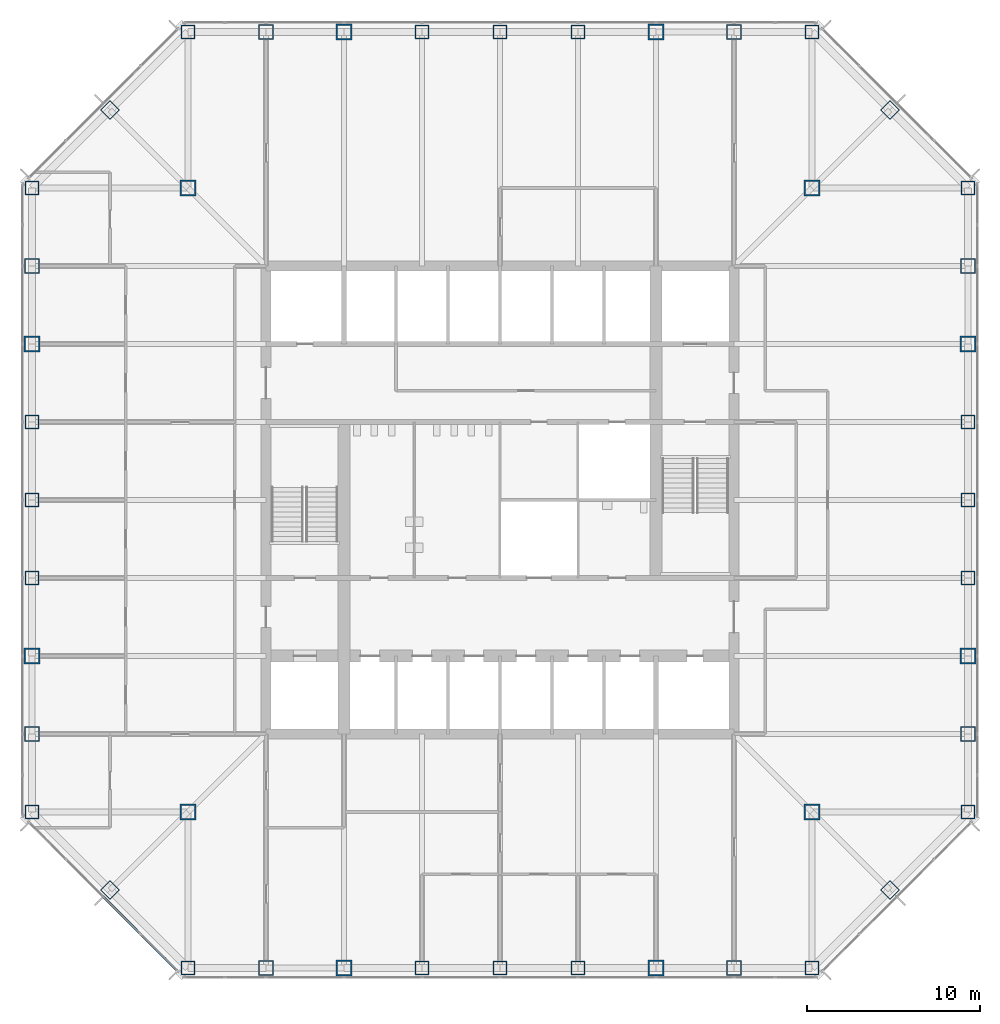
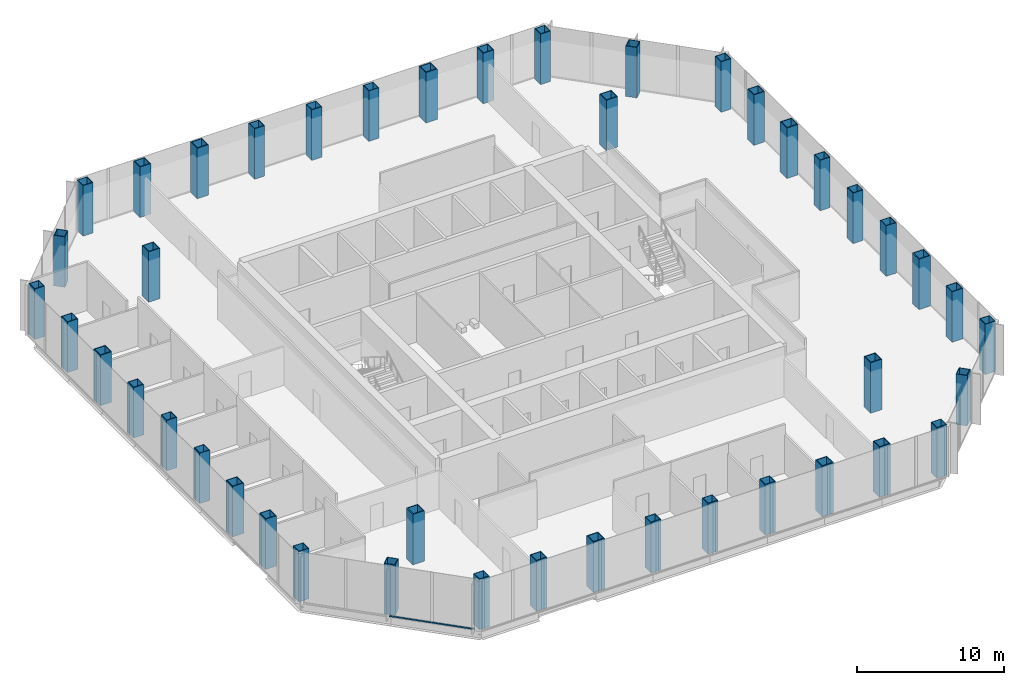
# One storey, part 1 of 12: 44 columns, 2 members, 1 element without a shape of its own.
"""IFC4 building model written with IfcOpenShell, lengths in metres."""

from ifc_helpers import new_model, si_unit, direction, frame, origin, origin_2d, place, context, subcontext, project, spatial, rectangle, hollow_rectangle, extrude, material, material_profile, profile_set, type_object, element, aggregate, save


model = new_model("IFC4")

# Units and contexts
model_context = context("Model", 3, precision=1e-05, world=origin(), true_north=direction((0.0, 1.0)))
body_context = subcontext(model_context, "Body", "Model", "MODEL_VIEW")
ifc_project = project(units=[si_unit("LENGTHUNIT", "METRE"), si_unit("AREAUNIT", "SQUARE_METRE"), si_unit("VOLUMEUNIT", "CUBIC_METRE"), si_unit("PLANEANGLEUNIT", "RADIAN"), si_unit("MASSUNIT", "GRAM", prefix="KILO")], contexts=[model_context])

# Site, building, storey
site_placement = place(None, origin())
site = spatial("IfcSite", under=ifc_project, at=site_placement, CompositionType="ELEMENT")
building_placement = place(site_placement, origin())
building = spatial("IfcBuilding", under=site, at=building_placement, Name="Corais Broadcast Tower", CompositionType="ELEMENT")
storey_placement = place(building_placement, frame((0.0, 0.0, 92.0)))
storey = spatial("IfcBuildingStorey", under=building, at=storey_placement, Name="L20", CompositionType="ELEMENT", Elevation=92.0)

# Columns
ifc_material_1 = material(Name="Steel ASTM A572 Grade 50", Category="steel")
ifc_material_profile_1 = material_profile(ifc_material_1, hollow_rectangle(XDim=0.800048828125, YDim=0.800048828125, WallThickness=0.044921875, at=origin_2d()), Name="BOX 800x800x45")
ifc_profile_set_1 = profile_set([ifc_material_profile_1], Name="Steel ASTM A572 Grade 50")
column_type_1 = type_object("IfcColumnType", Name="Column BOX 800x800x45", PredefinedType="COLUMN", material=ifc_profile_set_1)
for number, where, z_axis, x_axis, name in (
    (1, (9.0, 0.0, 0.0), (0.0, 0.0, 1.0), (1.0, 0.0, 0.0), "C3 A/5"),
    (2, (22.5, 0.0, 0.0), (0.0, 0.0, 1.0), (1.0, 0.0, 0.0), "C3 A/8"),
    (3, (27.0, 0.0, 0.0), (0.0, 0.0, 1.0), (1.0, 0.0, 0.0), "C3 A/9"),
    (4, (31.5, 0.0, 0.0), (0.0, 0.0, 1.0), (1.0, 0.0, 0.0), "C3 A/10"),
    (5, (45.0, 0.0, 0.0), (0.0, 0.0, 1.0), (1.0, 0.0, 0.0), "C3 A/13"),
    (6, (54.0, 9.0, 0.0), (0.0, 0.0, 1.0), (1.0, 0.0, 0.0), "C3 C/15"),
    (7, (54.0, 22.5, 0.0), (0.0, 0.0, 1.0), (1.0, 0.0, 0.0), "C3 F/15"),
    (8, (54.0, 27.0, 0.0), (0.0, 0.0, 1.0), (1.0, 0.0, 0.0), "C3 G/15"),
    (9, (54.0, 31.5, 0.0), (0.0, 0.0, 1.0), (1.0, 0.0, 0.0), "C3 H/15"),
    (10, (54.0, 45.0, 0.0), (0.0, 0.0, 1.0), (1.0, 0.0, 0.0), "C3 L/15"),
    (11, (45.0, 54.0, 0.0), (0.0, 0.0, 1.0), (1.0, 0.0, 0.0), "C3 N/13"),
    (12, (31.5, 54.0, 0.0), (0.0, 0.0, 1.0), (1.0, 0.0, 0.0), "C3 N/10"),
    (13, (27.0, 54.0, 0.0), (0.0, 0.0, 1.0), (1.0, 0.0, 0.0), "C3 N/9"),
    (14, (22.5, 54.0, 0.0), (0.0, 0.0, 1.0), (1.0, 0.0, 0.0), "C3 N/8"),
    (15, (9.0, 54.0, 0.0), (0.0, 0.0, 1.0), (1.0, 0.0, 0.0), "C3 N/5"),
    (16, (0.0, 45.0, 0.0), (0.0, 0.0, 1.0), (1.0, 0.0, 0.0), "C3 L/3"),
    (17, (0.0, 31.5, 0.0), (0.0, 0.0, 1.0), (1.0, 0.0, 0.0), "C3 H/3"),
    (18, (0.0, 27.0, 0.0), (0.0, 0.0, 1.0), (1.0, 0.0, 0.0), "C3 G/3"),
    (19, (0.0, 22.5, 0.0), (0.0, 0.0, 1.0), (1.0, 0.0, 0.0), "C3 F/3"),
    (20, (0.0, 9.0, 0.0), (0.0, 0.0, 1.0), (1.0, 0.0, 0.0), "C3 C/3"),
    (21, (4.5, 4.5, 0.0), (0.0, 0.0, 1.0), (0.707106781187, 0.707106781187, 0.0), "C3 B/4"),
    (22, (49.5, 4.5, 0.0), (0.0, 0.0, 1.0), (0.707106781187, 0.707106781187, 0.0), "C3 B/14"),
    (23, (49.5, 49.5, 0.0), (0.0, 0.0, 1.0), (0.707106781187, 0.707106781187, 0.0), "C3 M/14"),
    (24, (4.5, 49.5, 0.0), (0.0, 0.0, 1.0), (0.707106781187, 0.707106781187, 0.0), "C3 M/4"),
):
    element("IfcColumn", number, at=place(storey_placement, frame(where, z_axis=z_axis, x_axis=x_axis)), inside=storey, type_object=column_type_1, Name=name, PredefinedType="COLUMN", context=body_context, shape_type="SweptSolid", body=[
        extrude(hollow_rectangle(XDim=0.800048828125, YDim=0.800048828125, WallThickness=0.044921875, at=origin_2d()), origin(), (0.0, 0.0, 1.0), 4.199951171875),
    ])
ifc_material_2 = material(Name="Steel ASTM A572 Grade 50", Category="steel")
ifc_material_profile_2 = material_profile(ifc_material_2, hollow_rectangle(XDim=0.85009765625, YDim=0.85009765625, WallThickness=0.050048828125, at=origin_2d()), Name="BOX 850x850x50")
ifc_profile_set_2 = profile_set([ifc_material_profile_2], Name="Steel ASTM A572 Grade 50")
column_type_2 = type_object("IfcColumnType", Name="Column BOX 850x850x50", PredefinedType="COLUMN", material=ifc_profile_set_2)
for number, where, z_axis, x_axis, name in (
    (25, (13.5, 0.0, 0.0), (0.0, 0.0, 1.0), (1.0, 0.0, 0.0), "C1 A/6"),
    (26, (40.5, 0.0, 0.0), (0.0, 0.0, 1.0), (1.0, 0.0, 0.0), "C1 A/12"),
    (27, (54.0, 13.5, 0.0), (0.0, 0.0, 1.0), (1.0, 0.0, 0.0), "C1 D/15"),
    (28, (54.0, 40.5, 0.0), (0.0, 0.0, 1.0), (1.0, 0.0, 0.0), "C1 K/15"),
    (29, (40.5, 54.0, 0.0), (0.0, 0.0, 1.0), (1.0, 0.0, 0.0), "C1 N/12"),
    (30, (13.5, 54.0, 0.0), (0.0, 0.0, 1.0), (1.0, 0.0, 0.0), "C1 N/6"),
    (31, (0.0, 40.5, 0.0), (0.0, 0.0, 1.0), (1.0, 0.0, 0.0), "C1 K/3"),
    (32, (0.0, 13.5, 0.0), (0.0, 0.0, 1.0), (1.0, 0.0, 0.0), "C1 D/3"),
):
    element("IfcColumn", number, at=place(storey_placement, frame(where, z_axis=z_axis, x_axis=x_axis)), inside=storey, type_object=column_type_2, Name=name, PredefinedType="COLUMN", context=body_context, shape_type="SweptSolid", body=[
        extrude(hollow_rectangle(XDim=0.85009765625, YDim=0.85009765625, WallThickness=0.050048828125, at=origin_2d()), origin(), (0.0, 0.0, 1.0), 4.199951171875),
    ])
ifc_material_3 = material(Name="Steel ASTM A572 Grade 50", Category="steel")
ifc_material_profile_3 = material_profile(ifc_material_3, hollow_rectangle(XDim=0.89990234375, YDim=0.89990234375, WallThickness=0.06298828125, at=origin_2d()), Name="BOX 900x900x63")
ifc_profile_set_3 = profile_set([ifc_material_profile_3], Name="Steel ASTM A572 Grade 50")
column_type_3 = type_object("IfcColumnType", Name="Column BOX 900x900x63", PredefinedType="COLUMN", material=ifc_profile_set_3)
for number, where, z_axis, x_axis, name in (
    (33, (18.0, 0.0, 0.0), (0.0, 0.0, 1.0), (1.0, 0.0, 0.0), "C2 A/7"),
    (34, (36.0, 0.0, 0.0), (0.0, 0.0, 1.0), (1.0, 0.0, 0.0), "C2 A/11"),
    (35, (54.0, 18.0, 0.0), (0.0, 0.0, 1.0), (1.0, 0.0, 0.0), "C2 E/15"),
    (36, (54.0, 36.0, 0.0), (0.0, 0.0, 1.0), (1.0, 0.0, 0.0), "C2 J/15"),
    (37, (36.0, 54.0, 0.0), (0.0, 0.0, 1.0), (1.0, 0.0, 0.0), "C2 N/11"),
    (38, (18.0, 54.0, 0.0), (0.0, 0.0, 1.0), (1.0, 0.0, 0.0), "C2 N/7"),
    (39, (0.0, 36.0, 0.0), (0.0, 0.0, 1.0), (1.0, 0.0, 0.0), "C2 J/3"),
    (40, (0.0, 18.0, 0.0), (0.0, 0.0, 1.0), (1.0, 0.0, 0.0), "C2 E/3"),
    (41, (9.0, 9.0, 0.0), (0.0, 0.0, 1.0), (1.0, 0.0, 0.0), "C2 C/5"),
    (42, (45.0, 9.0, 0.0), (0.0, 0.0, 1.0), (1.0, 0.0, 0.0), "C2 C/13"),
    (43, (45.0, 45.0, 0.0), (0.0, 0.0, 1.0), (1.0, 0.0, 0.0), "C2 L/13"),
    (44, (9.0, 45.0, 0.0), (0.0, 0.0, 1.0), (1.0, 0.0, 0.0), "C2 L/5"),
):
    element("IfcColumn", number, at=place(storey_placement, frame(where, z_axis=z_axis, x_axis=x_axis)), inside=storey, type_object=column_type_3, Name=name, PredefinedType="COLUMN", context=body_context, shape_type="SweptSolid", body=[
        extrude(hollow_rectangle(XDim=0.89990234375, YDim=0.89990234375, WallThickness=0.06298828125, at=origin_2d()), origin(), (0.0, 0.0, 1.0), 4.199951171875),
    ])

# Curtain wall, members
ifc_material_4 = material(Name="Aluminium and glass", Category="aluminium")
curtain_wall_type = type_object("IfcCurtainWallType", Name="Unitised fritted curtain wall CW1", PredefinedType="NOTDEFINED", material=ifc_material_4)
curtain_wall_placement = place(storey_placement, origin())
curtain_wall = element("IfcCurtainWall", 45, at=curtain_wall_placement, inside=storey, type_object=curtain_wall_type, Name="CW1 curtain wall L20 1", PredefinedType="NOTDEFINED")
ifc_material_5 = material(Name="Aluminium 6063-T6", Category="aluminium")
ifc_material_profile_4 = material_profile(ifc_material_5, rectangle(XDim=0.139892578125, YDim=0.06494140625, at=origin_2d()), Name="Transom CW1 65x140")
ifc_profile_set_4 = profile_set([ifc_material_profile_4], Name="Aluminium 6063-T6")
member_type = type_object("IfcMemberType", Name="Transom CW1 65x140", PredefinedType="USERDEFINED", material=ifc_profile_set_4)
member_1_placement = place(storey_placement, frame((8.37255859375, -0.150390625, 0.032470703125), z_axis=(-0.707106781187, 0.707106781187, 0.0), x_axis=(-0.707106781187, -0.707106781187, 0.0)))
member_1 = element("IfcMember", 46, at=member_1_placement, type_object=member_type, Name="CW1 transom 1.1", ObjectType="TRANSOM", PredefinedType="USERDEFINED", context=body_context, shape_type="SweptSolid", body=[
    extrude(rectangle(XDim=0.139892578125, YDim=0.06494140625, at=origin_2d()), origin(), (0.0, 0.0, 1.0), 2.9482421875),
])
member_2_placement = place(storey_placement, frame((6.241943359375, 1.980224609375, 0.032470703125), z_axis=(-0.707106781187, 0.707106781187, 0.0), x_axis=(-0.707106781187, -0.707106781187, 0.0)))
member_2 = element("IfcMember", 47, at=member_2_placement, type_object=member_type, Name="CW1 transom 2.1", ObjectType="TRANSOM", PredefinedType="USERDEFINED", context=body_context, shape_type="SweptSolid", body=[
    extrude(rectangle(XDim=0.139892578125, YDim=0.06494140625, at=origin_2d()), origin(), (0.0, 0.0, 1.0), 2.98095703125),
])
aggregate(curtain_wall, [member_1, member_2])

save(model, "model.ifc")
